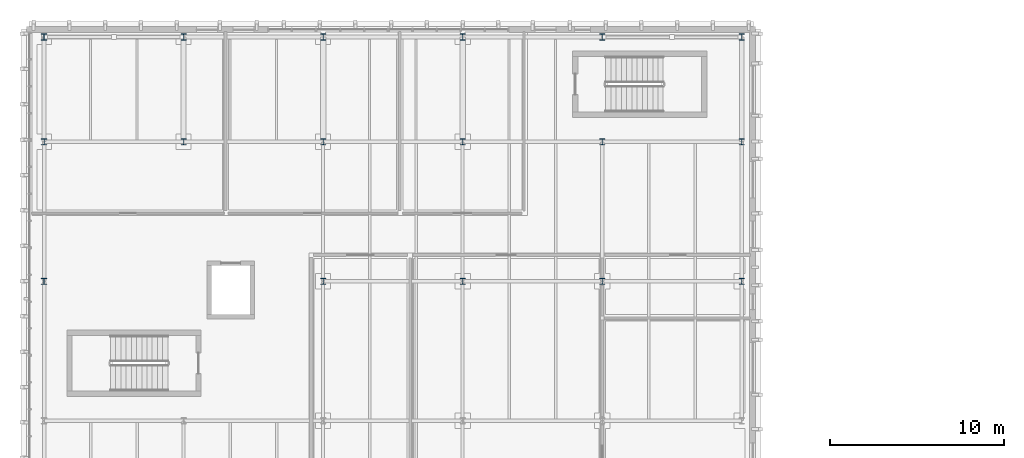
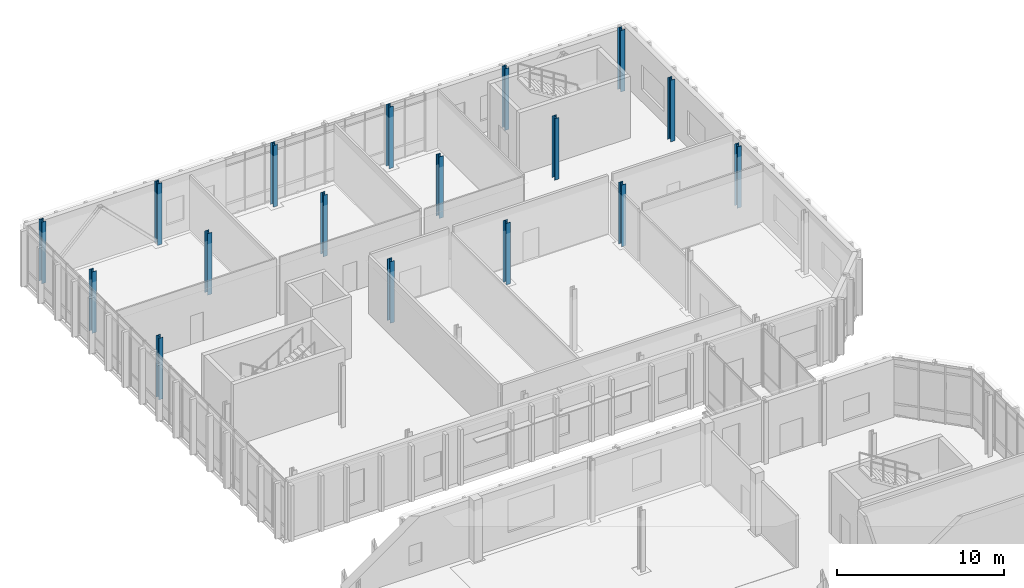
# One storey, part 12 of 100: 17 columns.
"""IFC4 building model written with IfcOpenShell, lengths in metres."""

from ifc_helpers import new_model, si_unit, direction, frame, origin, origin_2d, place, context, subcontext, project, spatial, i_section, extrude, material, material_profile, profile_set, type_object, element, save


model = new_model("IFC4")

# Units and contexts
model_context = context("Model", 3, precision=1e-05, world=origin(), true_north=direction((0.0, 1.0)))
body_context = subcontext(model_context, "Body", "Model", "MODEL_VIEW")
ifc_project = project(units=[si_unit("LENGTHUNIT", "METRE"), si_unit("AREAUNIT", "SQUARE_METRE"), si_unit("VOLUMEUNIT", "CUBIC_METRE"), si_unit("PLANEANGLEUNIT", "RADIAN"), si_unit("MASSUNIT", "GRAM", prefix="KILO")], contexts=[model_context])

# Site, building, storey
site_placement = place(None, origin())
site = spatial("IfcSite", under=ifc_project, at=site_placement, CompositionType="ELEMENT")
building_placement = place(site_placement, origin())
building = spatial("IfcBuilding", under=site, at=building_placement, Name="Cymarion Research Institute", CompositionType="ELEMENT")
storey_placement = place(building_placement, frame((0.0, 0.0, 9.300048828125)))
storey = spatial("IfcBuildingStorey", under=building, at=storey_placement, Name="L02", CompositionType="ELEMENT", Elevation=9.300048828125)

# Columns
ifc_material = material(Name="Steel S355", Category="steel")
ifc_material_profile_1 = material_profile(ifc_material, i_section(OverallWidth=0.300048828125, OverallDepth=0.360107421875, WebThickness=0.012451171875, FlangeThickness=0.0224609375, FilletRadius=0.027099609375, at=origin_2d()), Name="HEB 360")
ifc_profile_set_1 = profile_set([ifc_material_profile_1], Name="Steel S355")
column_type_1 = type_object("IfcColumnType", Name="STRUCTURAL COLUMN C07 HEB 360", PredefinedType="COLUMN", material=ifc_profile_set_1)
for number, where, z_axis, x_axis, name in (
    (1, (6.60009765625, 101.5, 0.0), (0.0, 0.0, 1.0), (1.0, 0.0, 0.0), "L02 V5 column C07 #670"),
    (2, (6.60009765625, 115.5, 0.0), (0.0, 0.0, 1.0), (1.0, 0.0, 0.0), "L02 V5 column C07 #672"),
    (3, (14.60009765625, 115.5, 0.0), (0.0, 0.0, 1.0), (1.0, 0.0, 0.0), "L02 V5 column C07 #687"),
    (4, (22.60009765625, 101.5, 0.0), (0.0, 0.0, 1.0), (1.0, 0.0, 0.0), "L02 V5 column C07 #701"),
    (5, (22.60009765625, 115.5, 0.0), (0.0, 0.0, 1.0), (1.0, 0.0, 0.0), "L02 V5 column C07 #703"),
    (6, (30.60009765625, 101.5, 0.0), (0.0, 0.0, 1.0), (1.0, 0.0, 0.0), "L02 V5 column C07 #717"),
    (7, (30.60009765625, 115.5, 0.0), (0.0, 0.0, 1.0), (1.0, 0.0, 0.0), "L02 V5 column C07 #719"),
    (8, (38.60009765625, 101.5, 0.0), (0.0, 0.0, 1.0), (1.0, 0.0, 0.0), "L02 V5 column C07 #739"),
    (9, (38.60009765625, 115.5, 0.0), (0.0, 0.0, 1.0), (1.0, 0.0, 0.0), "L02 V5 column C07 #741"),
    (10, (46.60009765625, 101.5, 0.0), (0.0, 0.0, 1.0), (1.0, 0.0, 0.0), "L02 V5 column C07 #756"),
    (11, (46.60009765625, 115.5, 0.0), (0.0, 0.0, 1.0), (1.0, 0.0, 0.0), "L02 V5 column C07 #758"),
):
    element("IfcColumn", number, at=place(storey_placement, frame(where, z_axis=z_axis, x_axis=x_axis)), inside=storey, type_object=column_type_1, Name=name, PredefinedType="COLUMN", context=body_context, shape_type="SweptSolid", body=[
        extrude(i_section(OverallWidth=0.300048828125, OverallDepth=0.360107421875, WebThickness=0.012451171875, FlangeThickness=0.0224609375, FilletRadius=0.027099609375, at=origin_2d()), origin(), (0.0, 0.0, 1.0), 4.5),
    ])
ifc_material_profile_2 = material_profile(ifc_material, i_section(OverallWidth=0.300048828125, OverallDepth=0.35009765625, WebThickness=0.010009765625, FlangeThickness=0.017578125, FilletRadius=0.027099609375, at=origin_2d()), Name="HEA 360")
ifc_profile_set_2 = profile_set([ifc_material_profile_2], Name="Steel S355")
column_type_2 = type_object("IfcColumnType", Name="STRUCTURAL COLUMN C12 HEA 360", PredefinedType="COLUMN", material=ifc_profile_set_2)
for number, where, z_axis, x_axis, name in (
    (12, (6.60009765625, 109.5, 0.0), (0.0, 0.0, 1.0), (1.0, 0.0, 0.0), "L02 V5 column C12 #671"),
    (13, (14.60009765625, 109.5, 0.0), (0.0, 0.0, 1.0), (1.0, 0.0, 0.0), "L02 V5 column C12 #686"),
    (14, (22.60009765625, 109.5, 0.0), (0.0, 0.0, 1.0), (1.0, 0.0, 0.0), "L02 V5 column C12 #702"),
    (15, (30.60009765625, 109.5, 0.0), (0.0, 0.0, 1.0), (1.0, 0.0, 0.0), "L02 V5 column C12 #718"),
    (16, (38.60009765625, 109.5, 0.0), (0.0, 0.0, 1.0), (1.0, 0.0, 0.0), "L02 V5 column C12 #740"),
    (17, (46.60009765625, 109.5, 0.0), (0.0, 0.0, 1.0), (1.0, 0.0, 0.0), "L02 V5 column C12 #757"),
):
    element("IfcColumn", number, at=place(storey_placement, frame(where, z_axis=z_axis, x_axis=x_axis)), inside=storey, type_object=column_type_2, Name=name, PredefinedType="COLUMN", context=body_context, shape_type="SweptSolid", body=[
        extrude(i_section(OverallWidth=0.300048828125, OverallDepth=0.35009765625, WebThickness=0.010009765625, FlangeThickness=0.017578125, FilletRadius=0.027099609375, at=origin_2d()), origin(), (0.0, 0.0, 1.0), 4.5),
    ])

save(model, "model.ifc")
